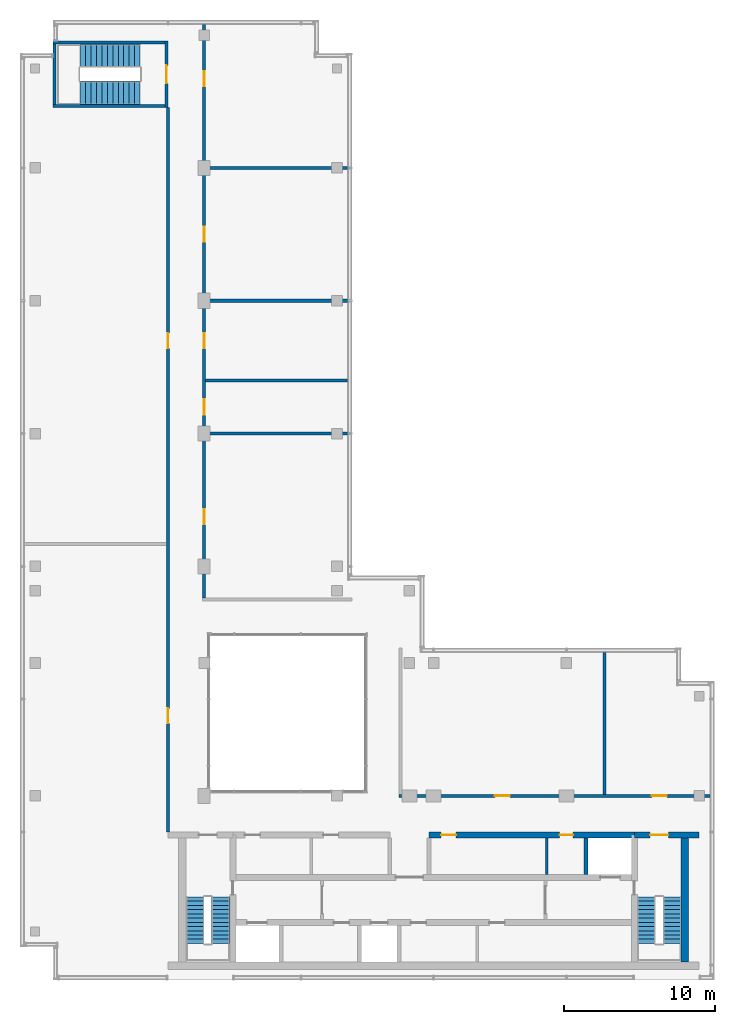
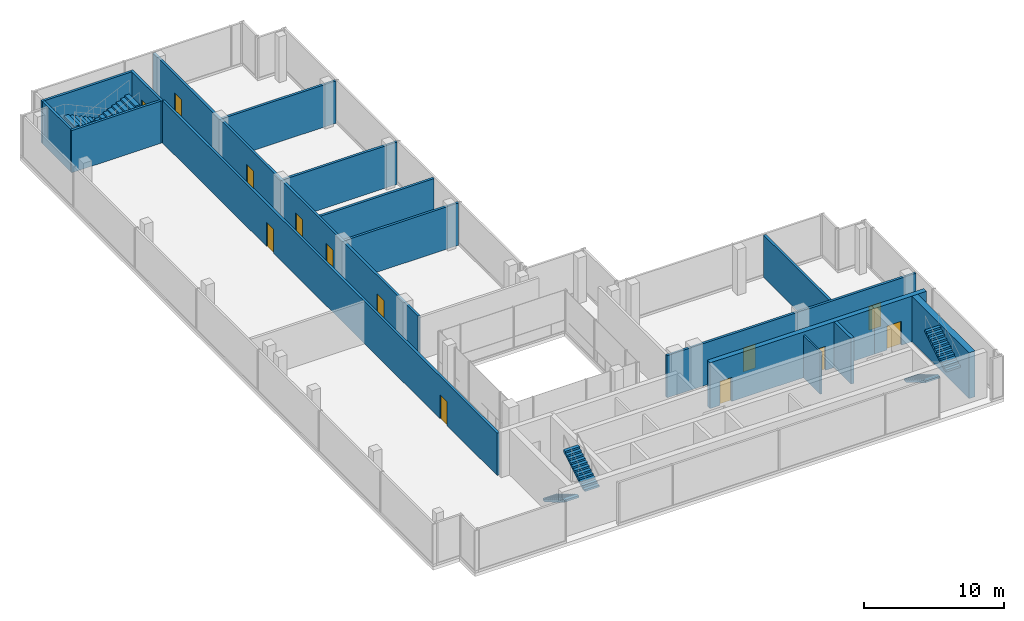
# One storey, part 9 of 10: 17 walls, 13 doors, 6 stair flights, 13 openings, 3 elements without a shape of their own.
"""IFC4 building model written with IfcOpenShell, lengths in metres."""

from ifc_helpers import new_model, si_unit, direction, frame, frame_2d, origin, place, context, subcontext, project, spatial, polyline, rectangle, outline, extrude, material, layer, layer_set, type_object, element, fill, aggregate, save


model = new_model("IFC4")

# Units and contexts
model_context = context("Model", 3, precision=1e-05, world=origin(), true_north=direction((0.0, 1.0)))
body_context = subcontext(model_context, "Body", "Model", "MODEL_VIEW")
ifc_project = project(units=[si_unit("LENGTHUNIT", "METRE"), si_unit("AREAUNIT", "SQUARE_METRE"), si_unit("VOLUMEUNIT", "CUBIC_METRE"), si_unit("PLANEANGLEUNIT", "RADIAN"), si_unit("MASSUNIT", "GRAM", prefix="KILO")], contexts=[model_context])

# Site, building, storey
site_placement = place(None, origin())
site = spatial("IfcSite", under=ifc_project, at=site_placement, CompositionType="ELEMENT")
building_placement = place(site_placement, origin())
building = spatial("IfcBuilding", under=site, at=building_placement, Name="Kemantara Hotel Tower", CompositionType="ELEMENT")
storey_placement = place(building_placement, frame((0.0, 0.0, 318.199951171875)))
storey = spatial("IfcBuildingStorey", under=building, at=storey_placement, Name="L80", CompositionType="ELEMENT", Elevation=318.199951171875)

# Wall
ifc_material_1 = material(Name="Concrete fc 50 MPa", Category="concrete")
ifc_layer_1 = layer(ifc_material_1, 0.25)
ifc_layer_set_1 = layer_set([ifc_layer_1], Name="Concrete fc 50 MPa")
wall_type_1 = type_object("IfcWallType", Name="CORE WALL 250 FC50", PredefinedType="SHEAR", material=ifc_layer_set_1)
wall_1_placement = place(storey_placement, frame((37.5, 7.0, 0.0), z_axis=(0.0, 0.0, 1.0), x_axis=(0.0, 1.0, 0.0)))
element("IfcWall", 1, at=wall_1_placement, inside=storey, type_object=wall_type_1, Name="CORE WALL CW-DN37.5", PredefinedType="SHEAR", context=body_context, shape_type="SweptSolid", body=[
    extrude(rectangle(XDim=2.39990234375, YDim=0.25, at=frame_2d((1.199951171875, 0.0))), origin(), (0.0, 0.0, 1.0), 4.0),
])

# Wall, opening, door
ifc_layer_2 = layer(ifc_material_1, 0.39990234375)
ifc_layer_set_2 = layer_set([ifc_layer_2], Name="Concrete fc 50 MPa")
wall_type_2 = type_object("IfcWallType", Name="CORE WALL 400 FC50", PredefinedType="SHEAR", material=ifc_layer_set_2)
wall_2_placement = place(storey_placement, frame((40.699951171875, 9.60009765625, 0.0), z_axis=(0.0, 0.0, 1.0), x_axis=(1.0, 0.0, 0.0)))
wall_2 = element("IfcWall", 2, at=wall_2_placement, inside=storey, type_object=wall_type_2, Name="CORE WALL CW-N2", PredefinedType="SHEAR", context=body_context, shape_type="SweptSolid", body=[
    extrude(rectangle(XDim=4.300048828125, YDim=0.39990234375, at=frame_2d((2.14990234375, 0.0))), origin(), (0.0, 0.0, 1.0), 4.0),
])
opening_1_placement = place(wall_2_placement, frame((1.050048828125, 0.0, 0.0)))
opening_1 = element("IfcOpeningElement", 3, at=opening_1_placement, cuts=wall_2, Name="Opening C45-ST2-C", PredefinedType="OPENING", context=body_context, shape_type="SweptSolid", body=[
    extrude(rectangle(XDim=1.199951171875, YDim=2.10009765625, at=frame_2d((0.60009765625, 1.050048828125))), frame((0.0, 0.2099609375, 0.0), z_axis=(0.0, -1.0, 0.0), x_axis=(1.0, 0.0, 0.0)), (0.0, 0.0, 1.0), 0.419921875),
])
ifc_material_2 = material(Name="Steel fire door", Category="steel")
door_type_1 = type_object("IfcDoorType", Name="Fire door FD90 1200 x 2100", OperationType="NOTDEFINED", PredefinedType="DOOR", material=ifc_material_2)
door_1_placement = place(opening_1_placement, frame((1.199951171875, 0.0, 0.0), z_axis=(0.0, 0.0, 1.0), x_axis=(-1.0, 0.0, 0.0)))
door_1 = element("IfcDoor", 4, at=door_1_placement, inside=storey, type_object=door_type_1, Name="Stair ST2 door to corridor", OperationType="SINGLE_SWING_RIGHT", OverallHeight=2.10009765625, OverallWidth=1.199951171875, PredefinedType="DOOR", context=body_context, shape_type="SweptSolid", body=[
    extrude(rectangle(XDim=1.199951171875, YDim=2.10009765625, at=frame_2d((0.60009765625, 1.050048828125))), frame((0.0, 0.02490234375, 0.0), z_axis=(0.0, -1.0, 0.0), x_axis=(1.0, 0.0, 0.0)), (0.0, 0.0, 1.0), 0.050048828125),
])
fill(opening_1, door_1)

# Wall, openings, doors
wall_3_placement = place(storey_placement, frame((27.10009765625, 9.60009765625, 0.0), z_axis=(0.0, 0.0, 1.0), x_axis=(1.0, 0.0, 0.0)))
wall_3 = element("IfcWall", 5, at=wall_3_placement, inside=storey, type_object=wall_type_2, Name="CORE WALL CW-NN2", PredefinedType="SHEAR", context=body_context, shape_type="SweptSolid", body=[
    extrude(rectangle(XDim=13.599853515625, YDim=0.39990234375, at=frame_2d((6.7998046875, 0.0))), origin(), (0.0, 0.0, 1.0), 4.0),
])
opening_2_placement = place(wall_3_placement, frame((0.800048828125, 0.0, 0.0)))
opening_2 = element("IfcOpeningElement", 6, at=opening_2_placement, cuts=wall_3, Name="Opening C45-R-NE1", PredefinedType="OPENING", context=body_context, shape_type="SweptSolid", body=[
    extrude(rectangle(XDim=1.0, YDim=2.10009765625, at=frame_2d((0.5, 1.050048828125))), frame((0.0, 0.2099609375, 0.0), z_axis=(0.0, -1.0, 0.0), x_axis=(1.0, 0.0, 0.0)), (0.0, 0.0, 1.0), 0.419921875),
])
opening_3_placement = place(wall_3_placement, frame((8.64990234375, 0.0, 0.0)))
opening_3 = element("IfcOpeningElement", 7, at=opening_3_placement, cuts=wall_3, Name="Opening C45-R-NE2", PredefinedType="OPENING", context=body_context, shape_type="SweptSolid", body=[
    extrude(rectangle(XDim=0.89990234375, YDim=2.10009765625, at=frame_2d((0.449951171875, 1.050048828125))), frame((0.0, 0.2099609375, 0.0), z_axis=(0.0, -1.0, 0.0), x_axis=(1.0, 0.0, 0.0)), (0.0, 0.0, 1.0), 0.419921875),
])
door_type_2 = type_object("IfcDoorType", Name="Fire door FD60 1000 x 2100", OperationType="NOTDEFINED", PredefinedType="DOOR", material=ifc_material_2)
door_2_placement = place(opening_2_placement, frame((1.0, 0.0, 0.0), z_axis=(0.0, 0.0, 1.0), x_axis=(-1.0, 0.0, 0.0)))
door_2 = element("IfcDoor", 8, at=door_2_placement, inside=storey, type_object=door_type_2, Name="Pump And Tank Room door", OperationType="SINGLE_SWING_RIGHT", OverallHeight=2.10009765625, OverallWidth=1.0, PredefinedType="DOOR", context=body_context, shape_type="SweptSolid", body=[
    extrude(rectangle(XDim=1.0, YDim=2.10009765625, at=frame_2d((0.5, 1.050048828125))), frame((0.0, 0.02490234375, 0.0), z_axis=(0.0, -1.0, 0.0), x_axis=(1.0, 0.0, 0.0)), (0.0, 0.0, 1.0), 0.050048828125),
])
fill(opening_2, door_2)
door_type_3 = type_object("IfcDoorType", Name="Fire door FD60 900 x 2100", OperationType="NOTDEFINED", PredefinedType="DOOR", material=ifc_material_2)
door_3_placement = place(opening_3_placement, frame((0.89990234375, 0.0, 0.0), z_axis=(0.0, 0.0, 1.0), x_axis=(-1.0, 0.0, 0.0)))
door_3 = element("IfcDoor", 9, at=door_3_placement, inside=storey, type_object=door_type_3, Name="Plumbing Riser Room door", OperationType="SINGLE_SWING_LEFT", OverallHeight=2.10009765625, OverallWidth=0.89990234375, PredefinedType="DOOR", context=body_context, shape_type="SweptSolid", body=[
    extrude(rectangle(XDim=0.89990234375, YDim=2.10009765625, at=frame_2d((0.449951171875, 1.050048828125))), frame((0.0, 0.02490234375, 0.0), z_axis=(0.0, -1.0, 0.0), x_axis=(1.0, 0.0, 0.0)), (0.0, 0.0, 1.0), 0.050048828125),
])
fill(opening_3, door_3)

# Wall
ifc_layer_3 = layer(ifc_material_1, 0.5)
ifc_layer_set_3 = layer_set([ifc_layer_3], Name="Concrete fc 50 MPa")
wall_type_3 = type_object("IfcWallType", Name="CORE WALL 500 FC50", PredefinedType="SHEAR", material=ifc_layer_set_3)
wall_4_placement = place(storey_placement, frame((44.050048828125, 1.199951171875, 0.0), z_axis=(0.0, 0.0, 1.0), x_axis=(0.0, 1.0, 0.0)))
element("IfcWall", 10, at=wall_4_placement, inside=storey, type_object=wall_type_3, Name="CORE WALL CW-E", PredefinedType="SHEAR", context=body_context, shape_type="SweptSolid", body=[
    extrude(rectangle(XDim=8.60009765625, YDim=0.5, at=frame_2d((4.300048828125, 0.0))), origin(), (0.0, 0.0, 1.0), 4.0),
])

# Wall, opening, door
ifc_material_3 = material(Name="Concrete fc 40 MPa", Category="concrete")
ifc_layer_4 = layer(ifc_material_3, 0.199951171875)
ifc_layer_set_4 = layer_set([ifc_layer_4], Name="Concrete fc 40 MPa")
wall_type_4 = type_object("IfcWallType", Name="Concrete stair wall 200 mm", PredefinedType="SHEAR", material=ifc_layer_set_4)
wall_5_placement = place(storey_placement, frame((9.699951171875, 57.800048828125, 0.0), z_axis=(0.0, 0.0, 1.0), x_axis=(0.0, 1.0, 0.0)))
wall_5 = element("IfcWall", 11, at=wall_5_placement, inside=storey, type_object=wall_type_4, Name="Stair ST4 enclosure wall with door", PredefinedType="SHEAR", context=body_context, shape_type="SweptSolid", body=[
    extrude(rectangle(XDim=4.39990234375, YDim=0.199951171875, at=frame_2d((2.199951171875, 0.0))), origin(), (0.0, 0.0, 1.0), 3.699951171875),
])
opening_4_placement = place(wall_5_placement, frame((1.60009765625, 0.0, 0.0)))
opening_4 = element("IfcOpeningElement", 12, at=opening_4_placement, cuts=wall_5, Name="Opening ST4-C", PredefinedType="OPENING", context=body_context, shape_type="SweptSolid", body=[
    extrude(rectangle(XDim=1.199951171875, YDim=2.10009765625, at=frame_2d((0.60009765625, 1.050048828125))), frame((0.0, 0.10986328125, 0.0), z_axis=(0.0, -1.0, 0.0), x_axis=(1.0, 0.0, 0.0)), (0.0, 0.0, 1.0), 0.219970703125),
])
door_4_placement = place(opening_4_placement, origin())
door_4 = element("IfcDoor", 13, at=door_4_placement, inside=storey, type_object=door_type_1, Name="Stair ST4 door", OperationType="SINGLE_SWING_RIGHT", OverallHeight=2.10009765625, OverallWidth=1.199951171875, PredefinedType="DOOR", context=body_context, shape_type="SweptSolid", body=[
    extrude(rectangle(XDim=1.199951171875, YDim=2.10009765625, at=frame_2d((0.60009765625, 1.050048828125))), frame((0.0, 0.02490234375, 0.0), z_axis=(0.0, -1.0, 0.0), x_axis=(1.0, 0.0, 0.0)), (0.0, 0.0, 1.0), 0.050048828125),
])
fill(opening_4, door_4)

# Walls
for number, where, z_axis, x_axis, name in (
    (14, (2.199951171875, 62.10009765625, 0.0), (0.0, 0.0, 1.0), (1.0, 0.0, 0.0), "Stair ST4 enclosure wall N"),
    (15, (2.199951171875, 57.89990234375, 0.0), (0.0, 0.0, 1.0), (1.0, 0.0, 0.0), "Stair ST4 enclosure wall S"),
):
    element("IfcWall", number, at=place(storey_placement, frame(where, z_axis=z_axis, x_axis=x_axis)), inside=storey, type_object=wall_type_4, Name=name, PredefinedType="SHEAR", context=body_context, shape_type="SweptSolid", body=[
        extrude(rectangle(XDim=7.400146484375, YDim=0.199951171875, at=frame_2d((3.7001953125, 0.0))), origin(), (0.0, 0.0, 1.0), 3.699951171875),
    ])
wall_6_placement = place(storey_placement, frame((2.300048828125, 58.0, 0.0), z_axis=(0.0, 0.0, 1.0), x_axis=(0.0, 1.0, 0.0)))
element("IfcWall", 16, at=wall_6_placement, inside=storey, type_object=wall_type_4, Name="Stair ST4 enclosure wall W", PredefinedType="SHEAR", context=body_context, shape_type="SweptSolid", body=[
    extrude(rectangle(XDim=4.0, YDim=0.199951171875, at=frame_2d((2.0, 0.0))), origin(), (0.0, 0.0, 1.0), 3.699951171875),
])
ifc_material_4 = material(Name="Clay brick masonry", Category="masonry")
ifc_layer_5 = layer(ifc_material_4, 0.199951171875)
ifc_layer_set_5 = layer_set([ifc_layer_5], Name="Clay brick masonry")
wall_type_5 = type_object("IfcWallType", Name="FIRE-RATED CLAY BRICK WALL 200 EI 120", PredefinedType="PARTITIONING", material=ifc_layer_set_5)
for number, where, z_axis, x_axis, name in (
    (17, (12.300048828125, 36.199951171875, 0.0), (0.0, 0.0, 1.0), (1.0, 0.0, 0.0), "FIRE WALL"),
    (18, (12.300048828125, 39.719970703125, 0.0), (0.0, 0.0, 1.0), (1.0, 0.0, 0.0), "FIRE WALL"),
    (19, (12.300048828125, 45.0, 0.0), (0.0, 0.0, 1.0), (1.0, 0.0, 0.0), "FIRE WALL"),
    (20, (12.300048828125, 53.800048828125, 0.0), (0.0, 0.0, 1.0), (1.0, 0.0, 0.0), "FIRE WALL"),
    (21, (38.719970703125, 12.300048828125, 0.0), (0.0, 0.0, 1.0), (0.0, 1.0, 0.0), "FIRE WALL"),
):
    element("IfcWall", number, at=place(storey_placement, frame(where, z_axis=z_axis, x_axis=x_axis)), inside=storey, type_object=wall_type_5, Name=name, PredefinedType="PARTITIONING", context=body_context, shape_type="SweptSolid", body=[
        extrude(rectangle(XDim=9.39990234375, YDim=0.199951171875, at=frame_2d((4.699951171875, 0.0))), origin(), (0.0, 0.0, 1.0), 3.699951171875),
    ])

# Wall, openings, doors
ifc_material_5 = material(Name="Fire-rated gypsum board partition")
ifc_layer_6 = layer(ifc_material_5, 0.199951171875)
ifc_layer_set_6 = layer_set([ifc_layer_6], Name="Fire-rated gypsum board partition")
wall_type_6 = type_object("IfcWallType", Name="FIRE-RATED GYPSUM PARTITION 200 EI 60", PredefinedType="PARTITIONING", material=ifc_layer_set_6)
wall_7_placement = place(storey_placement, frame((25.10009765625, 12.199951171875, 0.0), z_axis=(0.0, 0.0, 1.0), x_axis=(1.0, 0.0, 0.0)))
wall_7 = element("IfcWall", 22, at=wall_7_placement, inside=storey, type_object=wall_type_6, Name="FIRE-RATED PARTITION", PredefinedType="PARTITIONING", context=body_context, shape_type="SweptSolid", body=[
    extrude(rectangle(XDim=20.599853515625, YDim=0.199951171875, at=frame_2d((10.2998046875, 0.0))), origin(), (0.0, 0.0, 1.0), 3.699951171875),
])
opening_5_placement = place(wall_7_placement, frame((6.360107421875, 0.0, 0.0)))
opening_5 = element("IfcOpeningElement", 23, at=opening_5_placement, cuts=wall_7, Name="Opening L80-B001", PredefinedType="OPENING", context=body_context, shape_type="SweptSolid", body=[
    extrude(rectangle(XDim=1.0, YDim=2.10009765625, at=frame_2d((0.5, 1.050048828125))), frame((0.0, 0.10986328125, 0.0), z_axis=(0.0, -1.0, 0.0), x_axis=(1.0, 0.0, 0.0)), (0.0, 0.0, 1.0), 0.219970703125),
])
opening_6_placement = place(wall_7_placement, frame((16.760009765625, 0.0, 0.0)))
opening_6 = element("IfcOpeningElement", 24, at=opening_6_placement, cuts=wall_7, Name="Opening L80-B002", PredefinedType="OPENING", context=body_context, shape_type="SweptSolid", body=[
    extrude(rectangle(XDim=1.0, YDim=2.10009765625, at=frame_2d((0.5, 1.050048828125))), frame((0.0, 0.10986328125, 0.0), z_axis=(0.0, -1.0, 0.0), x_axis=(1.0, 0.0, 0.0)), (0.0, 0.0, 1.0), 0.219970703125),
])
ifc_material_6 = material(Name="Galvanised steel door leaf", Category="steel")
door_type_4 = type_object("IfcDoorType", Name="FIRE-RATED STEEL DOOR 1000 X 2100", OperationType="SINGLE_SWING_LEFT", PredefinedType="DOOR", material=ifc_material_6)
door_5_placement = place(opening_5_placement, frame((1.0, 0.0, 0.0), z_axis=(0.0, 0.0, 1.0), x_axis=(-1.0, 0.0, 0.0)))
door_5 = element("IfcDoor", 25, at=door_5_placement, inside=storey, type_object=door_type_4, Name="FIRE-RATED STEEL DOOR", OperationType="SINGLE_SWING_RIGHT", OverallHeight=2.10009765625, OverallWidth=1.0, PredefinedType="DOOR", context=body_context, shape_type="SweptSolid", body=[
    extrude(rectangle(XDim=1.0, YDim=2.10009765625, at=frame_2d((0.5, 1.050048828125))), frame((0.0, 0.02490234375, 0.0), z_axis=(0.0, -1.0, 0.0), x_axis=(1.0, 0.0, 0.0)), (0.0, 0.0, 1.0), 0.050048828125),
])
fill(opening_5, door_5)
door_6_placement = place(opening_6_placement, frame((1.0, 0.0, 0.0), z_axis=(0.0, 0.0, 1.0), x_axis=(-1.0, 0.0, 0.0)))
door_6 = element("IfcDoor", 26, at=door_6_placement, inside=storey, type_object=door_type_4, Name="FIRE-RATED STEEL DOOR", OperationType="SINGLE_SWING_LEFT", OverallHeight=2.10009765625, OverallWidth=1.0, PredefinedType="DOOR", context=body_context, shape_type="SweptSolid", body=[
    extrude(rectangle(XDim=1.0, YDim=2.10009765625, at=frame_2d((0.5, 1.050048828125))), frame((0.0, 0.02490234375, 0.0), z_axis=(0.0, -1.0, 0.0), x_axis=(1.0, 0.0, 0.0)), (0.0, 0.0, 1.0), 0.050048828125),
])
fill(opening_6, door_6)

wall_8_placement = place(storey_placement, frame((9.800048828125, 9.800048828125, 0.0), z_axis=(0.0, 0.0, 1.0), x_axis=(0.0, 1.0, 0.0)))
wall_8 = element("IfcWall", 27, at=wall_8_placement, inside=storey, type_object=wall_type_6, Name="FIRE-RATED PARTITION", PredefinedType="PARTITIONING", context=body_context, shape_type="SweptSolid", body=[
    extrude(rectangle(XDim=48.0, YDim=0.199951171875, at=frame_2d((24.0, 0.0))), origin(), (0.0, 0.0, 1.0), 3.699951171875),
])
opening_7_placement = place(wall_8_placement, frame((7.199951171875, 0.0, 0.0)))
opening_7 = element("IfcOpeningElement", 28, at=opening_7_placement, cuts=wall_8, Name="Opening L80-B008", PredefinedType="OPENING", context=body_context, shape_type="SweptSolid", body=[
    extrude(rectangle(XDim=1.0, YDim=2.10009765625, at=frame_2d((0.5, 1.050048828125))), frame((0.0, 0.10986328125, 0.0), z_axis=(0.0, -1.0, 0.0), x_axis=(1.0, 0.0, 0.0)), (0.0, 0.0, 1.0), 0.219970703125),
])
opening_8_placement = place(wall_8_placement, frame((32.050048828125, 0.0, 0.0)))
opening_8 = element("IfcOpeningElement", 29, at=opening_8_placement, cuts=wall_8, Name="Opening L80-B009", PredefinedType="OPENING", context=body_context, shape_type="SweptSolid", body=[
    extrude(rectangle(XDim=1.0, YDim=2.10009765625, at=frame_2d((0.5, 1.050048828125))), frame((0.0, 0.10986328125, 0.0), z_axis=(0.0, -1.0, 0.0), x_axis=(1.0, 0.0, 0.0)), (0.0, 0.0, 1.0), 0.219970703125),
])
door_7_placement = place(opening_7_placement, frame((1.0, 0.0, 0.0), z_axis=(0.0, 0.0, 1.0), x_axis=(-1.0, 0.0, 0.0)))
door_7 = element("IfcDoor", 30, at=door_7_placement, inside=storey, type_object=door_type_4, Name="FIRE-RATED STEEL DOOR", OperationType="SINGLE_SWING_RIGHT", OverallHeight=2.10009765625, OverallWidth=1.0, PredefinedType="DOOR", context=body_context, shape_type="SweptSolid", body=[
    extrude(rectangle(XDim=1.0, YDim=2.10009765625, at=frame_2d((0.5, 1.050048828125))), frame((0.0, 0.02490234375, 0.0), z_axis=(0.0, -1.0, 0.0), x_axis=(1.0, 0.0, 0.0)), (0.0, 0.0, 1.0), 0.050048828125),
])
fill(opening_7, door_7)
door_8_placement = place(opening_8_placement, frame((1.0, 0.0, 0.0), z_axis=(0.0, 0.0, 1.0), x_axis=(-1.0, 0.0, 0.0)))
door_8 = element("IfcDoor", 31, at=door_8_placement, inside=storey, type_object=door_type_4, Name="FIRE-RATED STEEL DOOR", OperationType="SINGLE_SWING_LEFT", OverallHeight=2.10009765625, OverallWidth=1.0, PredefinedType="DOOR", context=body_context, shape_type="SweptSolid", body=[
    extrude(rectangle(XDim=1.0, YDim=2.10009765625, at=frame_2d((0.5, 1.050048828125))), frame((0.0, 0.02490234375, 0.0), z_axis=(0.0, -1.0, 0.0), x_axis=(1.0, 0.0, 0.0)), (0.0, 0.0, 1.0), 0.050048828125),
])
fill(opening_8, door_8)

wall_9_placement = place(storey_placement, frame((12.199951171875, 25.300048828125, 0.0), z_axis=(0.0, 0.0, 1.0), x_axis=(0.0, 1.0, 0.0)))
wall_9 = element("IfcWall", 32, at=wall_9_placement, inside=storey, type_object=wall_type_6, Name="FIRE-RATED PARTITION", PredefinedType="PARTITIONING", context=body_context, shape_type="SweptSolid", body=[
    extrude(rectangle(XDim=38.0, YDim=0.199951171875, at=frame_2d((19.0, 0.0))), origin(), (0.0, 0.0, 1.0), 3.699951171875),
])
opening_9_placement = place(wall_9_placement, frame((4.89990234375, 0.0, 0.0)))
opening_9 = element("IfcOpeningElement", 33, at=opening_9_placement, cuts=wall_9, Name="Opening L80-B003", PredefinedType="OPENING", context=body_context, shape_type="SweptSolid", body=[
    extrude(rectangle(XDim=1.0, YDim=2.10009765625, at=frame_2d((0.5, 1.050048828125))), frame((0.0, 0.10986328125, 0.0), z_axis=(0.0, -1.0, 0.0), x_axis=(1.0, 0.0, 0.0)), (0.0, 0.0, 1.0), 0.219970703125),
])
opening_10_placement = place(wall_9_placement, frame((12.159912109375, 0.0, 0.0)))
opening_10 = element("IfcOpeningElement", 34, at=opening_10_placement, cuts=wall_9, Name="Opening L80-B004", PredefinedType="OPENING", context=body_context, shape_type="SweptSolid", body=[
    extrude(rectangle(XDim=1.0, YDim=2.10009765625, at=frame_2d((0.5, 1.050048828125))), frame((0.0, 0.10986328125, 0.0), z_axis=(0.0, -1.0, 0.0), x_axis=(1.0, 0.0, 0.0)), (0.0, 0.0, 1.0), 0.219970703125),
])
opening_11_placement = place(wall_9_placement, frame((16.56005859375, 0.0, 0.0)))
opening_11 = element("IfcOpeningElement", 35, at=opening_11_placement, cuts=wall_9, Name="Opening L80-B005", PredefinedType="OPENING", context=body_context, shape_type="SweptSolid", body=[
    extrude(rectangle(XDim=1.0, YDim=2.10009765625, at=frame_2d((0.5, 1.050048828125))), frame((0.0, 0.10986328125, 0.0), z_axis=(0.0, -1.0, 0.0), x_axis=(1.0, 0.0, 0.0)), (0.0, 0.0, 1.0), 0.219970703125),
])
opening_12_placement = place(wall_9_placement, frame((23.60009765625, 0.0, 0.0)))
opening_12 = element("IfcOpeningElement", 36, at=opening_12_placement, cuts=wall_9, Name="Opening L80-B006", PredefinedType="OPENING", context=body_context, shape_type="SweptSolid", body=[
    extrude(rectangle(XDim=1.0, YDim=2.10009765625, at=frame_2d((0.5, 1.050048828125))), frame((0.0, 0.10986328125, 0.0), z_axis=(0.0, -1.0, 0.0), x_axis=(1.0, 0.0, 0.0)), (0.0, 0.0, 1.0), 0.219970703125),
])
opening_13_placement = place(wall_9_placement, frame((33.89990234375, 0.0, 0.0)))
opening_13 = element("IfcOpeningElement", 37, at=opening_13_placement, cuts=wall_9, Name="Opening L80-B007", PredefinedType="OPENING", context=body_context, shape_type="SweptSolid", body=[
    extrude(rectangle(XDim=1.0, YDim=2.10009765625, at=frame_2d((0.5, 1.050048828125))), frame((0.0, 0.10986328125, 0.0), z_axis=(0.0, -1.0, 0.0), x_axis=(1.0, 0.0, 0.0)), (0.0, 0.0, 1.0), 0.219970703125),
])
door_9_placement = place(opening_9_placement, origin())
door_9 = element("IfcDoor", 38, at=door_9_placement, inside=storey, type_object=door_type_4, Name="FIRE-RATED STEEL DOOR", OperationType="SINGLE_SWING_LEFT", OverallHeight=2.10009765625, OverallWidth=1.0, PredefinedType="DOOR", context=body_context, shape_type="SweptSolid", body=[
    extrude(rectangle(XDim=1.0, YDim=2.10009765625, at=frame_2d((0.5, 1.050048828125))), frame((0.0, 0.02490234375, 0.0), z_axis=(0.0, -1.0, 0.0), x_axis=(1.0, 0.0, 0.0)), (0.0, 0.0, 1.0), 0.050048828125),
])
fill(opening_9, door_9)
door_10_placement = place(opening_10_placement, origin())
door_10 = element("IfcDoor", 39, at=door_10_placement, inside=storey, type_object=door_type_4, Name="FIRE-RATED STEEL DOOR", OperationType="SINGLE_SWING_LEFT", OverallHeight=2.10009765625, OverallWidth=1.0, PredefinedType="DOOR", context=body_context, shape_type="SweptSolid", body=[
    extrude(rectangle(XDim=1.0, YDim=2.10009765625, at=frame_2d((0.5, 1.050048828125))), frame((0.0, 0.02490234375, 0.0), z_axis=(0.0, -1.0, 0.0), x_axis=(1.0, 0.0, 0.0)), (0.0, 0.0, 1.0), 0.050048828125),
])
fill(opening_10, door_10)
door_11_placement = place(opening_11_placement, origin())
door_11 = element("IfcDoor", 40, at=door_11_placement, inside=storey, type_object=door_type_4, Name="FIRE-RATED STEEL DOOR", OperationType="SINGLE_SWING_LEFT", OverallHeight=2.10009765625, OverallWidth=1.0, PredefinedType="DOOR", context=body_context, shape_type="SweptSolid", body=[
    extrude(rectangle(XDim=1.0, YDim=2.10009765625, at=frame_2d((0.5, 1.050048828125))), frame((0.0, 0.02490234375, 0.0), z_axis=(0.0, -1.0, 0.0), x_axis=(1.0, 0.0, 0.0)), (0.0, 0.0, 1.0), 0.050048828125),
])
fill(opening_11, door_11)
door_12_placement = place(opening_12_placement, origin())
door_12 = element("IfcDoor", 41, at=door_12_placement, inside=storey, type_object=door_type_4, Name="FIRE-RATED STEEL DOOR", OperationType="SINGLE_SWING_RIGHT", OverallHeight=2.10009765625, OverallWidth=1.0, PredefinedType="DOOR", context=body_context, shape_type="SweptSolid", body=[
    extrude(rectangle(XDim=1.0, YDim=2.10009765625, at=frame_2d((0.5, 1.050048828125))), frame((0.0, 0.02490234375, 0.0), z_axis=(0.0, -1.0, 0.0), x_axis=(1.0, 0.0, 0.0)), (0.0, 0.0, 1.0), 0.050048828125),
])
fill(opening_12, door_12)
door_13_placement = place(opening_13_placement, origin())
door_13 = element("IfcDoor", 42, at=door_13_placement, inside=storey, type_object=door_type_4, Name="FIRE-RATED STEEL DOOR", OperationType="SINGLE_SWING_RIGHT", OverallHeight=2.10009765625, OverallWidth=1.0, PredefinedType="DOOR", context=body_context, shape_type="SweptSolid", body=[
    extrude(rectangle(XDim=1.0, YDim=2.10009765625, at=frame_2d((0.5, 1.050048828125))), frame((0.0, 0.02490234375, 0.0), z_axis=(0.0, -1.0, 0.0), x_axis=(1.0, 0.0, 0.0)), (0.0, 0.0, 1.0), 0.050048828125),
])
fill(opening_13, door_13)

# Wall
ifc_material_7 = material(Name="Gypsum board partition")
ifc_layer_7 = layer(ifc_material_7, 0.14990234375)
ifc_layer_set_7 = layer_set([ifc_layer_7], Name="Gypsum board partition")
wall_type_7 = type_object("IfcWallType", Name="Gypsum board partition 150 mm", PredefinedType="PARTITIONING", material=ifc_layer_set_7)
wall_10_placement = place(storey_placement, frame((34.89990234375, 7.0, 0.0), z_axis=(0.0, 0.0, 1.0), x_axis=(0.0, 1.0, 0.0)))
element("IfcWall", 43, at=wall_10_placement, inside=storey, type_object=wall_type_7, Name="Core room partition", PredefinedType="PARTITIONING", context=body_context, shape_type="SweptSolid", body=[
    extrude(rectangle(XDim=2.39990234375, YDim=0.14990234375, at=frame_2d((1.199951171875, 0.0))), origin(), (0.0, 0.0, 1.0), 3.699951171875),
])

# Stair, stair flights
stair_type_1 = type_object("IfcStairType", Name="Stair 1200 wide 24 risers of 167 x 280 mm", PredefinedType="HALF_TURN_STAIR", material=ifc_material_3)
stair_1_placement = place(storey_placement, origin())
stair_1 = element("IfcStair", 44, at=stair_1_placement, inside=storey, type_object=stair_type_1, Name="L80 Exit stair ST1", PredefinedType="HALF_TURN_STAIR")
stair_flight_type_1 = type_object("IfcStairFlightType", Name="Stair flight 1200 wide 167 x 280 mm", PredefinedType="STRAIGHT", material=ifc_material_3)
stair_flight_1_placement = place(storey_placement, frame((11.60009765625, 5.5, 0.0), z_axis=(0.0, 0.0, 1.0), x_axis=(0.0, -1.0, 0.0)))
stair_flight_1 = element("IfcStairFlight", 45, at=stair_flight_1_placement, type_object=stair_flight_type_1, Name="ST1 flight 1", NumberOfRisers=12, NumberOfTreads=11, PredefinedType="STRAIGHT", RiserHeight=0.166666667, TreadLength=0.28, context=body_context, shape_type="SweptSolid", body=[
    extrude(outline(polyline([(0.0, 0.0), (0.0, 0.166748046875), (0.280029296875, 0.166748046875), (0.280029296875, 0.333251953125), (0.56005859375, 0.333251953125), (0.56005859375, 0.5), (0.840087890625, 0.5), (0.840087890625, 0.666748046875), (1.1201171875, 0.666748046875), (1.1201171875, 0.833251953125), (1.39990234375, 0.833251953125), (1.39990234375, 1.0), (1.679931640625, 1.0), (1.679931640625, 1.166748046875), (1.9599609375, 1.166748046875), (1.9599609375, 1.333251953125), (2.239990234375, 1.333251953125), (2.239990234375, 1.5), (2.52001953125, 1.5), (2.52001953125, 1.666748046875), (2.800048828125, 1.666748046875), (2.800048828125, 1.833251953125), (3.080078125, 1.833251953125), (3.080078125, 2.0), (3.080078125, 1.658935546875), (0.29296875, 0.0), (0.0, 0.0)])), frame((0.0, 0.60009765625, 0.0), z_axis=(0.0, -1.0, 0.0), x_axis=(1.0, 0.0, 0.0)), (0.0, 0.0, 1.0), 1.199951171875),
])
stair_flight_2_placement = place(storey_placement, frame((13.300048828125, 2.419921875, 2.0), z_axis=(0.0, 0.0, 1.0), x_axis=(0.0, 1.0, 0.0)))
stair_flight_2 = element("IfcStairFlight", 46, at=stair_flight_2_placement, type_object=stair_flight_type_1, Name="ST1 flight 2", NumberOfRisers=12, NumberOfTreads=11, PredefinedType="STRAIGHT", RiserHeight=0.166666667, TreadLength=0.28, context=body_context, shape_type="SweptSolid", body=[
    extrude(outline(polyline([(0.0, 0.0), (0.0, 0.166748046875), (0.280029296875, 0.166748046875), (0.280029296875, 0.333251953125), (0.56005859375, 0.333251953125), (0.56005859375, 0.5), (0.840087890625, 0.5), (0.840087890625, 0.666748046875), (1.1201171875, 0.666748046875), (1.1201171875, 0.833251953125), (1.39990234375, 0.833251953125), (1.39990234375, 1.0), (1.679931640625, 1.0), (1.679931640625, 1.166748046875), (1.9599609375, 1.166748046875), (1.9599609375, 1.333251953125), (2.239990234375, 1.333251953125), (2.239990234375, 1.5), (2.52001953125, 1.5), (2.52001953125, 1.666748046875), (2.800048828125, 1.666748046875), (2.800048828125, 1.833251953125), (3.080078125, 1.833251953125), (3.080078125, 2.0), (3.080078125, 1.658935546875), (0.29296875, 0.0), (0.0, 0.0)])), frame((0.0, 0.60009765625, 0.0), z_axis=(0.0, -1.0, 0.0), x_axis=(1.0, 0.0, 0.0)), (0.0, 0.0, 1.0), 1.199951171875),
])
aggregate(stair_1, [stair_flight_1, stair_flight_2])

stair_2_placement = place(storey_placement, origin())
stair_2 = element("IfcStair", 47, at=stair_2_placement, inside=storey, type_object=stair_type_1, Name="L80 Exit stair ST2", PredefinedType="HALF_TURN_STAIR")
stair_flight_3_placement = place(storey_placement, frame((41.5, 5.5, 0.0), z_axis=(0.0, 0.0, 1.0), x_axis=(0.0, -1.0, 0.0)))
stair_flight_3 = element("IfcStairFlight", 48, at=stair_flight_3_placement, type_object=stair_flight_type_1, Name="ST2 flight 1", NumberOfRisers=12, NumberOfTreads=11, PredefinedType="STRAIGHT", RiserHeight=0.166666667, TreadLength=0.28, context=body_context, shape_type="SweptSolid", body=[
    extrude(outline(polyline([(0.0, 0.0), (0.0, 0.166748046875), (0.280029296875, 0.166748046875), (0.280029296875, 0.333251953125), (0.56005859375, 0.333251953125), (0.56005859375, 0.5), (0.840087890625, 0.5), (0.840087890625, 0.666748046875), (1.1201171875, 0.666748046875), (1.1201171875, 0.833251953125), (1.39990234375, 0.833251953125), (1.39990234375, 1.0), (1.679931640625, 1.0), (1.679931640625, 1.166748046875), (1.9599609375, 1.166748046875), (1.9599609375, 1.333251953125), (2.239990234375, 1.333251953125), (2.239990234375, 1.5), (2.52001953125, 1.5), (2.52001953125, 1.666748046875), (2.800048828125, 1.666748046875), (2.800048828125, 1.833251953125), (3.080078125, 1.833251953125), (3.080078125, 2.0), (3.080078125, 1.658935546875), (0.29296875, 0.0), (0.0, 0.0)])), frame((0.0, 0.60009765625, 0.0), z_axis=(0.0, -1.0, 0.0), x_axis=(1.0, 0.0, 0.0)), (0.0, 0.0, 1.0), 1.199951171875),
])
stair_flight_4_placement = place(storey_placement, frame((43.199951171875, 2.419921875, 2.0), z_axis=(0.0, 0.0, 1.0), x_axis=(0.0, 1.0, 0.0)))
stair_flight_4 = element("IfcStairFlight", 49, at=stair_flight_4_placement, type_object=stair_flight_type_1, Name="ST2 flight 2", NumberOfRisers=12, NumberOfTreads=11, PredefinedType="STRAIGHT", RiserHeight=0.166666667, TreadLength=0.28, context=body_context, shape_type="SweptSolid", body=[
    extrude(outline(polyline([(0.0, 0.0), (0.0, 0.166748046875), (0.280029296875, 0.166748046875), (0.280029296875, 0.333251953125), (0.56005859375, 0.333251953125), (0.56005859375, 0.5), (0.840087890625, 0.5), (0.840087890625, 0.666748046875), (1.1201171875, 0.666748046875), (1.1201171875, 0.833251953125), (1.39990234375, 0.833251953125), (1.39990234375, 1.0), (1.679931640625, 1.0), (1.679931640625, 1.166748046875), (1.9599609375, 1.166748046875), (1.9599609375, 1.333251953125), (2.239990234375, 1.333251953125), (2.239990234375, 1.5), (2.52001953125, 1.5), (2.52001953125, 1.666748046875), (2.800048828125, 1.666748046875), (2.800048828125, 1.833251953125), (3.080078125, 1.833251953125), (3.080078125, 2.0), (3.080078125, 1.658935546875), (0.29296875, 0.0), (0.0, 0.0)])), frame((0.0, 0.60009765625, 0.0), z_axis=(0.0, -1.0, 0.0), x_axis=(1.0, 0.0, 0.0)), (0.0, 0.0, 1.0), 1.199951171875),
])
aggregate(stair_2, [stair_flight_3, stair_flight_4])

stair_type_2 = type_object("IfcStairType", Name="Stair 1550 wide 24 risers of 167 x 360 mm", PredefinedType="HALF_TURN_STAIR", material=ifc_material_3)
stair_3_placement = place(storey_placement, origin())
stair_3 = element("IfcStair", 50, at=stair_3_placement, inside=storey, type_object=stair_type_2, Name="L80 Exit stair ST4", PredefinedType="HALF_TURN_STAIR")
stair_flight_type_2 = type_object("IfcStairFlightType", Name="Stair flight 1550 wide 167 x 360 mm", PredefinedType="STRAIGHT", material=ifc_material_3)
stair_flight_5_placement = place(storey_placement, frame((7.949951171875, 61.22509765625, 0.0), z_axis=(0.0, 0.0, 1.0), x_axis=(-1.0, 0.0, 0.0)))
stair_flight_5 = element("IfcStairFlight", 51, at=stair_flight_5_placement, type_object=stair_flight_type_2, Name="ST4 flight 1", NumberOfRisers=12, NumberOfTreads=11, PredefinedType="STRAIGHT", RiserHeight=0.166666667, TreadLength=0.36, context=body_context, shape_type="SweptSolid", body=[
    extrude(outline(polyline([(0.0, 0.0), (0.0, 0.166748046875), (0.360107421875, 0.166748046875), (0.360107421875, 0.333251953125), (0.719970703125, 0.333251953125), (0.719970703125, 0.5), (1.080078125, 0.5), (1.080078125, 0.666748046875), (1.43994140625, 0.666748046875), (1.43994140625, 0.833251953125), (1.800048828125, 0.833251953125), (1.800048828125, 1.0), (2.159912109375, 1.0), (2.159912109375, 1.166748046875), (2.52001953125, 1.166748046875), (2.52001953125, 1.333251953125), (2.8798828125, 1.333251953125), (2.8798828125, 1.5), (3.239990234375, 1.5), (3.239990234375, 1.666748046875), (3.60009765625, 1.666748046875), (3.60009765625, 1.833251953125), (3.9599609375, 1.833251953125), (3.9599609375, 2.0), (3.9599609375, 1.668212890625), (0.356689453125, 0.0), (0.0, 0.0)])), frame((0.0, 0.77490234375, 0.0), z_axis=(0.0, -1.0, 0.0), x_axis=(1.0, 0.0, 0.0)), (0.0, 0.0, 1.0), 1.550048828125),
])
stair_flight_6_placement = place(storey_placement, frame((3.989990234375, 58.77490234375, 2.0), z_axis=(0.0, 0.0, 1.0), x_axis=(1.0, 0.0, 0.0)))
stair_flight_6 = element("IfcStairFlight", 52, at=stair_flight_6_placement, type_object=stair_flight_type_2, Name="ST4 flight 2", NumberOfRisers=12, NumberOfTreads=11, PredefinedType="STRAIGHT", RiserHeight=0.166666667, TreadLength=0.36, context=body_context, shape_type="SweptSolid", body=[
    extrude(outline(polyline([(0.0, 0.0), (0.0, 0.166748046875), (0.360107421875, 0.166748046875), (0.360107421875, 0.333251953125), (0.719970703125, 0.333251953125), (0.719970703125, 0.5), (1.080078125, 0.5), (1.080078125, 0.666748046875), (1.43994140625, 0.666748046875), (1.43994140625, 0.833251953125), (1.800048828125, 0.833251953125), (1.800048828125, 1.0), (2.159912109375, 1.0), (2.159912109375, 1.166748046875), (2.52001953125, 1.166748046875), (2.52001953125, 1.333251953125), (2.8798828125, 1.333251953125), (2.8798828125, 1.5), (3.239990234375, 1.5), (3.239990234375, 1.666748046875), (3.60009765625, 1.666748046875), (3.60009765625, 1.833251953125), (3.9599609375, 1.833251953125), (3.9599609375, 2.0), (3.9599609375, 1.668212890625), (0.356689453125, 0.0), (0.0, 0.0)])), frame((0.0, 0.77490234375, 0.0), z_axis=(0.0, -1.0, 0.0), x_axis=(1.0, 0.0, 0.0)), (0.0, 0.0, 1.0), 1.550048828125),
])
aggregate(stair_3, [stair_flight_5, stair_flight_6])

save(model, "model.ifc")
